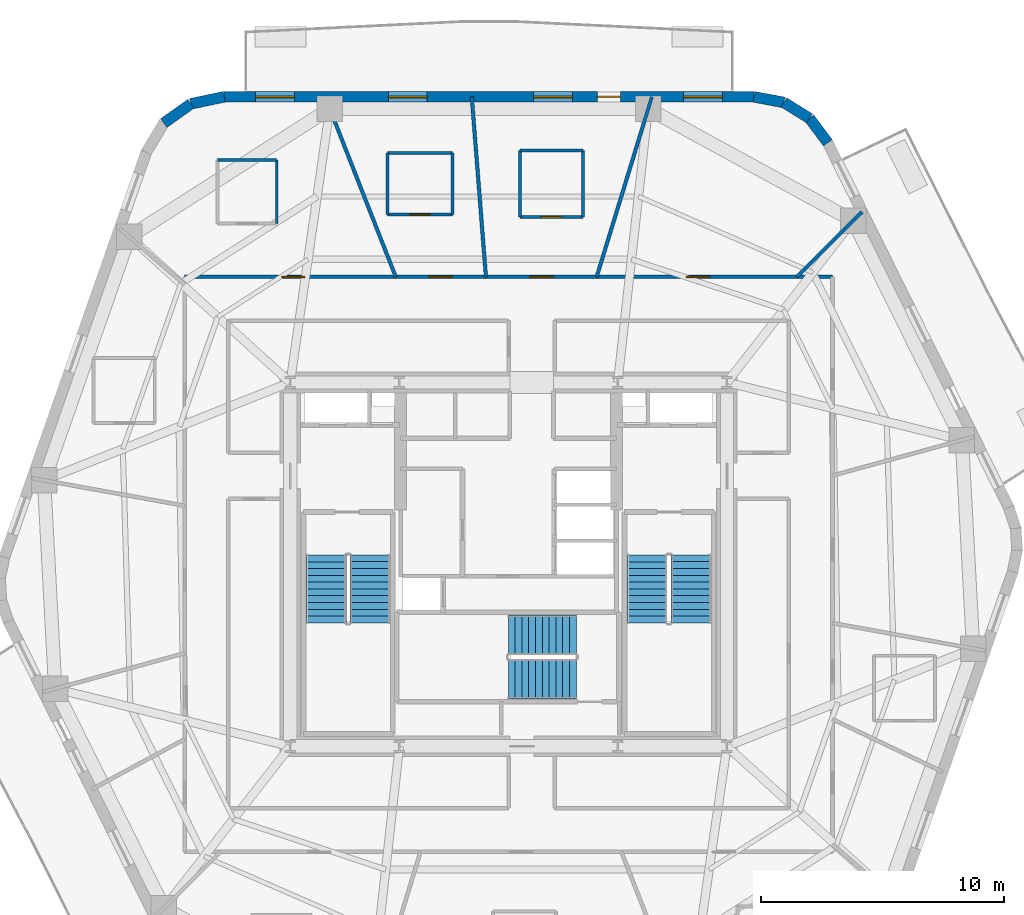
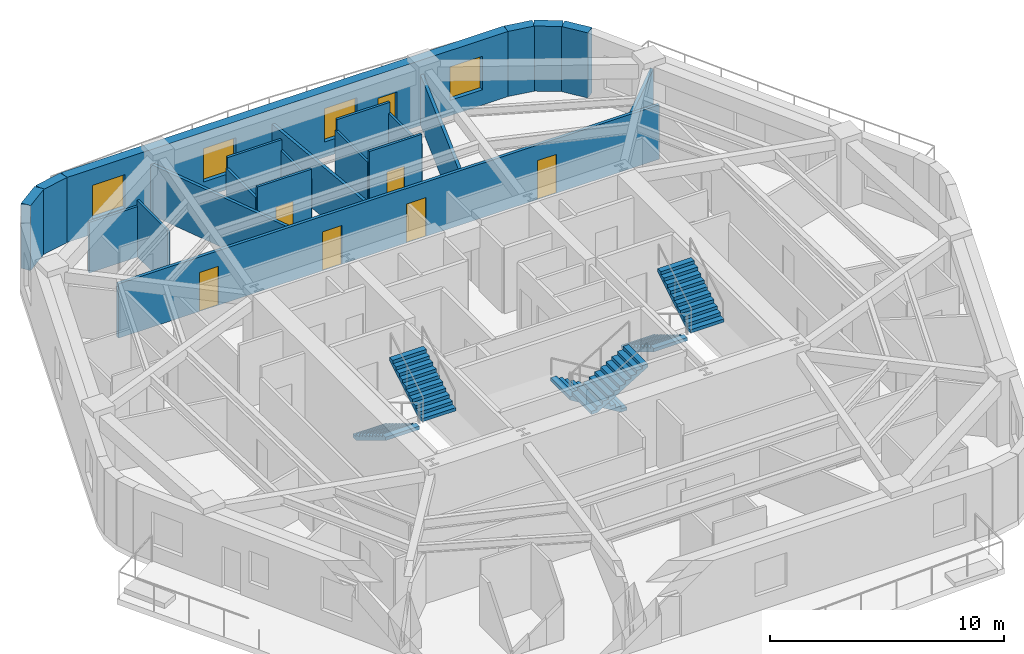
# One storey, part 6 of 10: 21 walls, 7 doors, 6 stair flights, 4 windows, 11 openings, 3 elements without a shape of their own.
"""IFC4 building model written with IfcOpenShell, lengths in metres."""

from ifc_helpers import new_model, si_unit, direction, frame, frame_2d, origin, place, context, subcontext, project, spatial, polyline, rectangle, outline, extrude, material, layer, layer_set, type_object, element, fill, aggregate, save


model = new_model("IFC4")

# Units and contexts
model_context = context("Model", 3, precision=1e-05, world=origin(), true_north=direction((0.0, 1.0)))
body_context = subcontext(model_context, "Body", "Model", "MODEL_VIEW")
ifc_project = project(units=[si_unit("LENGTHUNIT", "METRE"), si_unit("AREAUNIT", "SQUARE_METRE"), si_unit("VOLUMEUNIT", "CUBIC_METRE"), si_unit("PLANEANGLEUNIT", "RADIAN"), si_unit("MASSUNIT", "GRAM", prefix="KILO")], contexts=[model_context])

# Site, building, storey
site_placement = place(None, origin())
site = spatial("IfcSite", under=ifc_project, at=site_placement, CompositionType="ELEMENT")
building_placement = place(site_placement, origin())
building = spatial("IfcBuilding", under=site, at=building_placement, Name="Kilnhurst Terrace Hotel", CompositionType="ELEMENT")
storey_placement = place(building_placement, frame((0.0, 0.0, 155.39990234375)))
storey = spatial("IfcBuildingStorey", under=building, at=storey_placement, Name="L38", CompositionType="ELEMENT", Elevation=155.39990234375)

# Walls
ifc_material_1 = material(Name="Precast concrete C40/50", Category="concrete")
ifc_layer_1 = layer(ifc_material_1, 0.449951171875, Name="Precast concrete C40/50")
ifc_layer_set_1 = layer_set([ifc_layer_1], Name="Precast concrete C40/50")
wall_type_1 = type_object("IfcWallType", Name="WL-BRK-450", PredefinedType="SOLIDWALL", material=ifc_layer_set_1)
wall_1_placement = place(storey_placement, frame((13.162353515625, 17.380615234375, 0.0), z_axis=(0.0, 0.0, 1.0), x_axis=(-0.601515770517, 0.798860925205, 0.0)))
element("IfcWall", 1, at=wall_1_placement, inside=storey, type_object=wall_type_1, Name="L38 Rounded Corner Brick Wall C4.1", PredefinedType="SOLIDWALL", context=body_context, shape_type="SweptSolid", body=[
    extrude(rectangle(XDim=1.261962890625, YDim=0.449951171875, at=frame_2d((0.630859375, 0.0))), origin(), (0.0, 0.0, 1.0), 3.400146484375),
])
wall_2_placement = place(storey_placement, frame((12.4033203125, 18.388671875, 0.0), z_axis=(0.0, 0.0, 1.0), x_axis=(-0.849795170926, 0.527113049991, 0.0)))
element("IfcWall", 2, at=wall_2_placement, inside=storey, type_object=wall_type_1, Name="L38 Rounded Corner Brick Wall C4.2", PredefinedType="SOLIDWALL", context=body_context, shape_type="SweptSolid", body=[
    extrude(rectangle(XDim=1.24072265625, YDim=0.449951171875, at=frame_2d((0.620361328125, 0.0))), origin(), (0.0, 0.0, 1.0), 3.400146484375),
])
wall_3_placement = place(storey_placement, frame((11.348876953125, 19.042724609375, 0.0), z_axis=(0.0, 0.0, 1.0), x_axis=(-0.982931267051, 0.183973161772, 0.0)))
element("IfcWall", 3, at=wall_3_placement, inside=storey, type_object=wall_type_1, Name="L38 Rounded Corner Brick Wall C4.3", PredefinedType="SOLIDWALL", context=body_context, shape_type="SweptSolid", body=[
    extrude(rectangle(XDim=1.261962890625, YDim=0.449951171875, at=frame_2d((0.630859375, 0.0))), origin(), (0.0, 0.0, 1.0), 3.400146484375),
])
wall_4_placement = place(storey_placement, frame((-11.720458984375, 19.27490234375, 0.0), z_axis=(0.0, 0.0, 1.0), x_axis=(-0.97893106758, -0.204191001093, 0.0)))
element("IfcWall", 4, at=wall_4_placement, inside=storey, type_object=wall_type_1, Name="L38 Rounded Corner Brick Wall C5.1", PredefinedType="SOLIDWALL", context=body_context, shape_type="SweptSolid", body=[
    extrude(rectangle(XDim=1.400146484375, YDim=0.449951171875, at=frame_2d((0.7001953125, 0.0))), origin(), (0.0, 0.0, 1.0), 3.400146484375),
])
wall_5_placement = place(storey_placement, frame((-13.091064453125, 18.989013671875, 0.0), z_axis=(0.0, 0.0, 1.0), x_axis=(-0.815574637848, -0.578651890258, 0.0)))
element("IfcWall", 5, at=wall_5_placement, inside=storey, type_object=wall_type_1, Name="L38 Rounded Corner Brick Wall C5.2", PredefinedType="SOLIDWALL", context=body_context, shape_type="SweptSolid", body=[
    extrude(rectangle(XDim=1.376708984375, YDim=0.449951171875, at=frame_2d((0.6884765625, 0.0))), origin(), (0.0, 0.0, 1.0), 3.400146484375),
])

# Wall, openings, door, windows
wall_6_placement = place(storey_placement, frame((10.1083984375, 19.27490234375, 0.0), z_axis=(0.0, 0.0, 1.0), x_axis=(-1.0, 0.0, 0.0)))
wall_6 = element("IfcWall", 6, at=wall_6_placement, inside=storey, type_object=wall_type_1, Name="L38 Exterior Brick Facade Wall F4", PredefinedType="SOLIDWALL", context=body_context, shape_type="SweptSolid", body=[
    extrude(rectangle(XDim=21.828857421875, YDim=0.449951171875, at=frame_2d((10.91455078125, 0.0))), origin(), (0.0, 0.0, 1.0), 3.400146484375),
])
opening_1_placement = place(wall_6_placement, frame((5.5029296875, 0.0, 0.0)))
opening_1 = element("IfcOpeningElement", 7, at=opening_1_placement, cuts=wall_6, Name="Opening BD-950", PredefinedType="OPENING", context=body_context, shape_type="SweptSolid", body=[
    extrude(rectangle(XDim=0.949951171875, YDim=2.14990234375, at=frame_2d((0.47509765625, 1.074951171875))), frame((0.0, 0.23486328125, 0.0), z_axis=(0.0, -1.0, 0.0), x_axis=(1.0, 0.0, 0.0)), (0.0, 0.0, 1.0), 0.469970703125),
])
opening_2_placement = place(wall_6_placement, frame((1.297119140625, 0.0, 0.800048828125)))
opening_2 = element("IfcOpeningElement", 8, at=opening_2_placement, cuts=wall_6, Name="Opening W-05", PredefinedType="OPENING", context=body_context, shape_type="SweptSolid", body=[
    extrude(rectangle(XDim=1.60009765625, YDim=1.75, at=frame_2d((0.800048828125, 0.875))), frame((0.0, 0.23486328125, 0.0), z_axis=(0.0, -1.0, 0.0), x_axis=(1.0, 0.0, 0.0)), (0.0, 0.0, 1.0), 0.469970703125),
])
opening_3_placement = place(wall_6_placement, frame((7.47900390625, 0.0, 0.800048828125)))
opening_3 = element("IfcOpeningElement", 9, at=opening_3_placement, cuts=wall_6, Name="Opening W-05", PredefinedType="OPENING", context=body_context, shape_type="SweptSolid", body=[
    extrude(rectangle(XDim=1.60009765625, YDim=1.75, at=frame_2d((0.800048828125, 0.875))), frame((0.0, 0.23486328125, 0.0), z_axis=(0.0, -1.0, 0.0), x_axis=(1.0, 0.0, 0.0)), (0.0, 0.0, 1.0), 0.469970703125),
])
opening_4_placement = place(wall_6_placement, frame((13.4609375, 0.0, 0.800048828125)))
opening_4 = element("IfcOpeningElement", 10, at=opening_4_placement, cuts=wall_6, Name="Opening W-05", PredefinedType="OPENING", context=body_context, shape_type="SweptSolid", body=[
    extrude(rectangle(XDim=1.60009765625, YDim=1.75, at=frame_2d((0.800048828125, 0.875))), frame((0.0, 0.23486328125, 0.0), z_axis=(0.0, -1.0, 0.0), x_axis=(1.0, 0.0, 0.0)), (0.0, 0.0, 1.0), 0.469970703125),
])
opening_5_placement = place(wall_6_placement, frame((18.93310546875, 0.0, 0.800048828125)))
opening_5 = element("IfcOpeningElement", 11, at=opening_5_placement, cuts=wall_6, Name="Opening W-05", PredefinedType="OPENING", context=body_context, shape_type="SweptSolid", body=[
    extrude(rectangle(XDim=1.60009765625, YDim=1.75, at=frame_2d((0.800048828125, 0.875))), frame((0.0, 0.23486328125, 0.0), z_axis=(0.0, -1.0, 0.0), x_axis=(1.0, 0.0, 0.0)), (0.0, 0.0, 1.0), 0.469970703125),
])
ifc_material_2 = material(Name="Thermally Broken Bronze Aluminium Alloy 6063-T6 and Laminated Glass", Category="aluminium")
door_type_1 = type_object("IfcDoorType", Name="DR-EXT-BAL-950", OperationType="NOTDEFINED", PredefinedType="DOOR", material=ifc_material_2)
door_1_placement = place(opening_1_placement, origin())
door_1 = element("IfcDoor", 12, at=door_1_placement, inside=storey, type_object=door_type_1, Name="L38 Planted Balcony Door BAL-L1B", OperationType="SINGLE_SWING_RIGHT", OverallHeight=2.14990234375, OverallWidth=0.949951171875, PredefinedType="DOOR", context=body_context, shape_type="SweptSolid", body=[
    extrude(rectangle(XDim=0.949951171875, YDim=2.14990234375, at=frame_2d((0.47509765625, 1.074951171875))), frame((0.0, 0.02490234375, 0.0), z_axis=(0.0, -1.0, 0.0), x_axis=(1.0, 0.0, 0.0)), (0.0, 0.0, 1.0), 0.050048828125),
])
fill(opening_1, door_1)
ifc_material_3 = material(Name="Thermally Broken Bronze Aluminium Alloy 6063-T6 and Low-E Glass", Category="aluminium")
window_type = type_object("IfcWindowType", Name="WIN-1600X1750", PartitioningType="SINGLE_PANEL", PredefinedType="WINDOW", material=ifc_material_3)
window_1_placement = place(opening_2_placement, origin())
window_1 = element("IfcWindow", 13, at=window_1_placement, inside=storey, type_object=window_type, Name="L38 Deep-Set Masonry Window F4.1", OverallHeight=1.75, OverallWidth=1.60009765625, PartitioningType="SINGLE_PANEL", PredefinedType="WINDOW", context=body_context, shape_type="SweptSolid", body=[
    extrude(rectangle(XDim=1.60009765625, YDim=1.75, at=frame_2d((0.800048828125, 0.875))), frame((0.0, 0.030029296875, 0.0), z_axis=(0.0, -1.0, 0.0), x_axis=(1.0, 0.0, 0.0)), (0.0, 0.0, 1.0), 0.06005859375),
])
fill(opening_2, window_1)
window_2_placement = place(opening_3_placement, origin())
window_2 = element("IfcWindow", 14, at=window_2_placement, inside=storey, type_object=window_type, Name="L38 Deep-Set Masonry Window F4.2", OverallHeight=1.75, OverallWidth=1.60009765625, PartitioningType="SINGLE_PANEL", PredefinedType="WINDOW", context=body_context, shape_type="SweptSolid", body=[
    extrude(rectangle(XDim=1.60009765625, YDim=1.75, at=frame_2d((0.800048828125, 0.875))), frame((0.0, 0.030029296875, 0.0), z_axis=(0.0, -1.0, 0.0), x_axis=(1.0, 0.0, 0.0)), (0.0, 0.0, 1.0), 0.06005859375),
])
fill(opening_3, window_2)
window_3_placement = place(opening_4_placement, origin())
window_3 = element("IfcWindow", 15, at=window_3_placement, inside=storey, type_object=window_type, Name="L38 Deep-Set Masonry Window F4.3", OverallHeight=1.75, OverallWidth=1.60009765625, PartitioningType="SINGLE_PANEL", PredefinedType="WINDOW", context=body_context, shape_type="SweptSolid", body=[
    extrude(rectangle(XDim=1.60009765625, YDim=1.75, at=frame_2d((0.800048828125, 0.875))), frame((0.0, 0.030029296875, 0.0), z_axis=(0.0, -1.0, 0.0), x_axis=(1.0, 0.0, 0.0)), (0.0, 0.0, 1.0), 0.06005859375),
])
fill(opening_4, window_3)
window_4_placement = place(opening_5_placement, origin())
window_4 = element("IfcWindow", 16, at=window_4_placement, inside=storey, type_object=window_type, Name="L38 Deep-Set Masonry Window F4.4", OverallHeight=1.75, OverallWidth=1.60009765625, PartitioningType="SINGLE_PANEL", PredefinedType="WINDOW", context=body_context, shape_type="SweptSolid", body=[
    extrude(rectangle(XDim=1.60009765625, YDim=1.75, at=frame_2d((0.800048828125, 0.875))), frame((0.0, 0.030029296875, 0.0), z_axis=(0.0, -1.0, 0.0), x_axis=(1.0, 0.0, 0.0)), (0.0, 0.0, 1.0), 0.06005859375),
])
fill(opening_5, window_4)

# Wall, openings, doors
ifc_material_4 = material(Name="Acoustic Double-Gypsum Corridor Partition Assembly")
ifc_layer_2 = layer(ifc_material_4, 0.14990234375, Name="Acoustic Double-Gypsum Corridor Partition Assembly")
ifc_layer_set_2 = layer_set([ifc_layer_2], Name="Acoustic Double-Gypsum Corridor Partition Assembly")
wall_type_2 = type_object("IfcWallType", Name="WL-COR-150", PredefinedType="PARTITIONING", material=ifc_layer_set_2)
wall_7_placement = place(storey_placement, frame((-13.35009765625, 11.85009765625, 0.0), z_axis=(0.0, 0.0, 1.0), x_axis=(1.0, 0.0, 0.0)))
wall_7 = element("IfcWall", 17, at=wall_7_placement, inside=storey, type_object=wall_type_2, Name="L38 Interior Wall WL-L38-COR-03", PredefinedType="PARTITIONING", context=body_context, shape_type="SweptSolid", body=[
    extrude(rectangle(XDim=26.7001953125, YDim=0.14990234375, at=frame_2d((13.35009765625, 0.0))), origin(), (0.0, 0.0, 1.0), 2.840087890625),
])
opening_6_placement = place(wall_7_placement, frame((20.681884765625, 0.0, 0.0)))
opening_6 = element("IfcOpeningElement", 18, at=opening_6_placement, cuts=wall_7, Name="Opening D-60B", PredefinedType="OPENING", context=body_context, shape_type="SweptSolid", body=[
    extrude(rectangle(XDim=0.949951171875, YDim=2.030029296875, at=frame_2d((0.47509765625, 1.01513671875))), frame((0.0, 0.0849609375, 0.0), z_axis=(0.0, -1.0, 0.0), x_axis=(1.0, 0.0, 0.0)), (0.0, 0.0, 1.0), 0.169921875),
])
opening_7_placement = place(wall_7_placement, frame((14.22900390625, 0.0, 0.0)))
opening_7 = element("IfcOpeningElement", 19, at=opening_7_placement, cuts=wall_7, Name="Opening D-60B", PredefinedType="OPENING", context=body_context, shape_type="SweptSolid", body=[
    extrude(rectangle(XDim=0.949951171875, YDim=2.030029296875, at=frame_2d((0.47509765625, 1.01513671875))), frame((0.0, 0.0849609375, 0.0), z_axis=(0.0, -1.0, 0.0), x_axis=(1.0, 0.0, 0.0)), (0.0, 0.0, 1.0), 0.169921875),
])
opening_8_placement = place(wall_7_placement, frame((10.074951171875, 0.0, 0.0)))
opening_8 = element("IfcOpeningElement", 20, at=opening_8_placement, cuts=wall_7, Name="Opening D-60B", PredefinedType="OPENING", context=body_context, shape_type="SweptSolid", body=[
    extrude(rectangle(XDim=0.949951171875, YDim=2.030029296875, at=frame_2d((0.47509765625, 1.01513671875))), frame((0.0, 0.0849609375, 0.0), z_axis=(0.0, -1.0, 0.0), x_axis=(1.0, 0.0, 0.0)), (0.0, 0.0, 1.0), 0.169921875),
])
opening_9_placement = place(wall_7_placement, frame((3.9951171875, 0.0, 0.0)))
opening_9 = element("IfcOpeningElement", 21, at=opening_9_placement, cuts=wall_7, Name="Opening D-60B", PredefinedType="OPENING", context=body_context, shape_type="SweptSolid", body=[
    extrude(rectangle(XDim=0.949951171875, YDim=2.030029296875, at=frame_2d((0.47509765625, 1.01513671875))), frame((0.0, 0.0849609375, 0.0), z_axis=(0.0, -1.0, 0.0), x_axis=(1.0, 0.0, 0.0)), (0.0, 0.0, 1.0), 0.169921875),
])
ifc_material_5 = material(Name="Acoustic Walnut Veneer Solid-Core Fire Door")
door_type_2 = type_object("IfcDoorType", Name="DR-FD60-950", OperationType="NOTDEFINED", PredefinedType="DOOR", material=ifc_material_5)
door_2_placement = place(opening_6_placement, origin())
door_2 = element("IfcDoor", 22, at=door_2_placement, inside=storey, type_object=door_type_2, Name="L38 Fitness Studio Door", OperationType="SINGLE_SWING_RIGHT", OverallHeight=2.030029296875, OverallWidth=0.949951171875, PredefinedType="DOOR", context=body_context, shape_type="SweptSolid", body=[
    extrude(rectangle(XDim=0.949951171875, YDim=2.030029296875, at=frame_2d((0.47509765625, 1.01513671875))), frame((0.0, 0.02490234375, 0.0), z_axis=(0.0, -1.0, 0.0), x_axis=(1.0, 0.0, 0.0)), (0.0, 0.0, 1.0), 0.050048828125),
])
fill(opening_6, door_2)
door_3_placement = place(opening_7_placement, origin())
door_3 = element("IfcDoor", 23, at=door_3_placement, inside=storey, type_object=door_type_2, Name="L38 Guest Room Entry Door 3", OperationType="SINGLE_SWING_LEFT", OverallHeight=2.030029296875, OverallWidth=0.949951171875, PredefinedType="DOOR", context=body_context, shape_type="SweptSolid", body=[
    extrude(rectangle(XDim=0.949951171875, YDim=2.030029296875, at=frame_2d((0.47509765625, 1.01513671875))), frame((0.0, 0.02490234375, 0.0), z_axis=(0.0, -1.0, 0.0), x_axis=(1.0, 0.0, 0.0)), (0.0, 0.0, 1.0), 0.050048828125),
])
fill(opening_7, door_3)
door_4_placement = place(opening_8_placement, origin())
door_4 = element("IfcDoor", 24, at=door_4_placement, inside=storey, type_object=door_type_2, Name="L38 Guest Room Entry Door 4", OperationType="SINGLE_SWING_RIGHT", OverallHeight=2.030029296875, OverallWidth=0.949951171875, PredefinedType="DOOR", context=body_context, shape_type="SweptSolid", body=[
    extrude(rectangle(XDim=0.949951171875, YDim=2.030029296875, at=frame_2d((0.47509765625, 1.01513671875))), frame((0.0, 0.02490234375, 0.0), z_axis=(0.0, -1.0, 0.0), x_axis=(1.0, 0.0, 0.0)), (0.0, 0.0, 1.0), 0.050048828125),
])
fill(opening_8, door_4)
door_5_placement = place(opening_9_placement, origin())
door_5 = element("IfcDoor", 25, at=door_5_placement, inside=storey, type_object=door_type_2, Name="L38 Executive Suite Entry Door 5", OperationType="SINGLE_SWING_LEFT", OverallHeight=2.030029296875, OverallWidth=0.949951171875, PredefinedType="DOOR", context=body_context, shape_type="SweptSolid", body=[
    extrude(rectangle(XDim=0.949951171875, YDim=2.030029296875, at=frame_2d((0.47509765625, 1.01513671875))), frame((0.0, 0.02490234375, 0.0), z_axis=(0.0, -1.0, 0.0), x_axis=(1.0, 0.0, 0.0)), (0.0, 0.0, 1.0), 0.050048828125),
])
fill(opening_9, door_5)

# Walls
ifc_material_6 = material(Name="STC-58 Acoustic Twin-Frame Guestroom Demising Partition")
ifc_layer_3 = layer(ifc_material_6, 0.14990234375, Name="STC-58 Acoustic Twin-Frame Guestroom Demising Partition")
ifc_layer_set_3 = layer_set([ifc_layer_3], Name="STC-58 Acoustic Twin-Frame Guestroom Demising Partition")
wall_type_3 = type_object("IfcWallType", Name="WL-DEM-150", PredefinedType="PARTITIONING", material=ifc_layer_set_3)
wall_8_placement = place(storey_placement, frame((11.8818359375, 11.85009765625, 0.0), z_axis=(0.0, 0.0, 1.0), x_axis=(0.708037373639, 0.706174962407, 0.0)))
element("IfcWall", 26, at=wall_8_placement, inside=storey, type_object=wall_type_3, Name="L38 Interior Wall WL-L38-DEM-COL02-02-1", PredefinedType="PARTITIONING", context=body_context, shape_type="SweptSolid", body=[
    extrude(rectangle(XDim=3.801513671875, YDim=0.14990234375, at=frame_2d((1.90087890625, 0.0))), origin(), (0.0, 0.0, 1.0), 2.64013671875),
])
wall_9_placement = place(storey_placement, frame((3.63134765625, 11.85009765625, 0.0), z_axis=(0.0, 0.0, 1.0), x_axis=(0.293007573338, 0.956110120209, 0.0)))
element("IfcWall", 27, at=wall_9_placement, inside=storey, type_object=wall_type_3, Name="L38 Interior Wall WL-L38-DEM-COL03-03-1", PredefinedType="PARTITIONING", context=body_context, shape_type="SweptSolid", body=[
    extrude(rectangle(XDim=7.765625, YDim=0.14990234375, at=frame_2d((3.8828125, 0.0))), origin(), (0.0, 0.0, 1.0), 2.64013671875),
])
wall_10_placement = place(storey_placement, frame((-0.932861328125, 11.85009765625, 0.0), z_axis=(0.0, 0.0, 1.0), x_axis=(-0.078476156849, 0.996915990847, 0.0)))
element("IfcWall", 28, at=wall_10_placement, inside=storey, type_object=wall_type_3, Name="L38 Interior Wall WL-L38-DEM-MID03-04-1", PredefinedType="PARTITIONING", context=body_context, shape_type="SweptSolid", body=[
    extrude(rectangle(XDim=7.44775390625, YDim=0.14990234375, at=frame_2d((3.723876953125, 0.0))), origin(), (0.0, 0.0, 1.0), 2.64013671875),
])
wall_11_placement = place(storey_placement, frame((-4.64990234375, 11.85009765625, 0.0), z_axis=(0.0, 0.0, 1.0), x_axis=(-0.365265947993, 0.930903210456, 0.0)))
element("IfcWall", 29, at=wall_11_placement, inside=storey, type_object=wall_type_3, Name="L38 Interior Wall WL-L38-DEM-COL04-05-1", PredefinedType="PARTITIONING", context=body_context, shape_type="SweptSolid", body=[
    extrude(rectangle(XDim=7.975830078125, YDim=0.14990234375, at=frame_2d((3.98779296875, 0.0))), origin(), (0.0, 0.0, 1.0), 2.64013671875),
])

# Wall, opening, door
ifc_material_7 = material(Name="120 mm Moisture-Resistant Tile-Backed Bathroom Partition")
ifc_layer_4 = layer(ifc_material_7, 0.1201171875, Name="120 mm Moisture-Resistant Tile-Backed Bathroom Partition")
ifc_layer_set_4 = layer_set([ifc_layer_4], Name="120 mm Moisture-Resistant Tile-Backed Bathroom Partition")
wall_type_4 = type_object("IfcWallType", Name="WL-PART-120", PredefinedType="PARTITIONING", material=ifc_layer_set_4)
wall_12_placement = place(storey_placement, frame((0.464111328125, 14.31298828125, 0.0), z_axis=(0.0, 0.0, 1.0), x_axis=(1.0, 0.0, 0.0)))
wall_12 = element("IfcWall", 30, at=wall_12_placement, inside=storey, type_object=wall_type_4, Name="L38 Interior Wall WL-L38-BTH-03-1", PredefinedType="PARTITIONING", context=body_context, shape_type="SweptSolid", body=[
    extrude(rectangle(XDim=2.599853515625, YDim=0.1201171875, at=frame_2d((1.2998046875, 0.0))), origin(), (0.0, 0.0, 1.0), 3.400146484375),
])
opening_10_placement = place(wall_12_placement, frame((0.875, 0.0, 0.0)))
opening_10 = element("IfcOpeningElement", 31, at=opening_10_placement, cuts=wall_12, Name="Opening D-08A", PredefinedType="OPENING", context=body_context, shape_type="SweptSolid", body=[
    extrude(rectangle(XDim=0.85009765625, YDim=2.030029296875, at=frame_2d((0.425048828125, 1.01513671875))), frame((0.0, 0.070068359375, 0.0), z_axis=(0.0, -1.0, 0.0), x_axis=(1.0, 0.0, 0.0)), (0.0, 0.0, 1.0), 0.14013671875),
])
ifc_material_8 = material(Name="Moisture-Resistant Lacquered En-suite Bathroom Door")
door_type_3 = type_object("IfcDoorType", Name="DR-INT-850", OperationType="NOTDEFINED", PredefinedType="DOOR", material=ifc_material_8)
door_6_placement = place(opening_10_placement, origin())
door_6 = element("IfcDoor", 32, at=door_6_placement, inside=storey, type_object=door_type_3, Name="L38 En-suite Bathroom Door 3", OperationType="SINGLE_SWING_RIGHT", OverallHeight=2.030029296875, OverallWidth=0.85009765625, PredefinedType="DOOR", context=body_context, shape_type="SweptSolid", body=[
    extrude(rectangle(XDim=0.85009765625, YDim=2.030029296875, at=frame_2d((0.425048828125, 1.01513671875))), frame((0.0, 0.02490234375, 0.0), z_axis=(0.0, -1.0, 0.0), x_axis=(1.0, 0.0, 0.0)), (0.0, 0.0, 1.0), 0.050048828125),
])
fill(opening_10, door_6)

# Walls
wall_13_placement = place(storey_placement, frame((3.06396484375, 14.31298828125, 0.0), z_axis=(0.0, 0.0, 1.0), x_axis=(0.0, 1.0, 0.0)))
element("IfcWall", 33, at=wall_13_placement, inside=storey, type_object=wall_type_4, Name="L38 Interior Wall WL-L38-BTH-03-2", PredefinedType="PARTITIONING", context=body_context, shape_type="SweptSolid", body=[
    extrude(rectangle(XDim=2.75, YDim=0.1201171875, at=frame_2d((1.375, 0.0))), origin(), (0.0, 0.0, 1.0), 2.840576171875),
])
wall_14_placement = place(storey_placement, frame((3.06396484375, 17.06298828125, 0.0), z_axis=(0.0, 0.0, 1.0), x_axis=(-1.0, 0.0, 0.0)))
element("IfcWall", 34, at=wall_14_placement, inside=storey, type_object=wall_type_4, Name="L38 Interior Wall WL-L38-BTH-03-3", PredefinedType="PARTITIONING", context=body_context, shape_type="SweptSolid", body=[
    extrude(rectangle(XDim=2.599853515625, YDim=0.1201171875, at=frame_2d((1.2998046875, 0.0))), origin(), (0.0, 0.0, 1.0), 3.400146484375),
])
wall_15_placement = place(storey_placement, frame((0.464111328125, 17.06298828125, 0.0), z_axis=(0.0, 0.0, 1.0), x_axis=(0.0, -1.0, 0.0)))
element("IfcWall", 35, at=wall_15_placement, inside=storey, type_object=wall_type_4, Name="L38 Interior Wall WL-L38-BTH-03-4", PredefinedType="PARTITIONING", context=body_context, shape_type="SweptSolid", body=[
    extrude(rectangle(XDim=2.75, YDim=0.1201171875, at=frame_2d((1.375, 0.0))), origin(), (0.0, 0.0, 1.0), 2.840576171875),
])

# Wall, opening, door
wall_16_placement = place(storey_placement, frame((-4.998046875, 14.41796875, 0.0), z_axis=(0.0, 0.0, 1.0), x_axis=(1.0, 0.0, 0.0)))
wall_16 = element("IfcWall", 36, at=wall_16_placement, inside=storey, type_object=wall_type_4, Name="L38 Interior Wall WL-L38-BTH-04-1", PredefinedType="PARTITIONING", context=body_context, shape_type="SweptSolid", body=[
    extrude(rectangle(XDim=2.679931640625, YDim=0.1201171875, at=frame_2d((1.33984375, 0.0))), origin(), (0.0, 0.0, 1.0), 3.400146484375),
])
opening_11_placement = place(wall_16_placement, frame((0.9150390625, 0.0, 0.0)))
opening_11 = element("IfcOpeningElement", 37, at=opening_11_placement, cuts=wall_16, Name="Opening D-08A", PredefinedType="OPENING", context=body_context, shape_type="SweptSolid", body=[
    extrude(rectangle(XDim=0.85009765625, YDim=2.030029296875, at=frame_2d((0.425048828125, 1.01513671875))), frame((0.0, 0.070068359375, 0.0), z_axis=(0.0, -1.0, 0.0), x_axis=(1.0, 0.0, 0.0)), (0.0, 0.0, 1.0), 0.14013671875),
])
door_7_placement = place(opening_11_placement, origin())
door_7 = element("IfcDoor", 38, at=door_7_placement, inside=storey, type_object=door_type_3, Name="L38 En-suite Bathroom Door 4", OperationType="SINGLE_SWING_LEFT", OverallHeight=2.030029296875, OverallWidth=0.85009765625, PredefinedType="DOOR", context=body_context, shape_type="SweptSolid", body=[
    extrude(rectangle(XDim=0.85009765625, YDim=2.030029296875, at=frame_2d((0.425048828125, 1.01513671875))), frame((0.0, 0.02490234375, 0.0), z_axis=(0.0, -1.0, 0.0), x_axis=(1.0, 0.0, 0.0)), (0.0, 0.0, 1.0), 0.050048828125),
])
fill(opening_11, door_7)

# Walls
wall_17_placement = place(storey_placement, frame((-2.318115234375, 14.41796875, 0.0), z_axis=(0.0, 0.0, 1.0), x_axis=(0.0, 1.0, 0.0)))
element("IfcWall", 39, at=wall_17_placement, inside=storey, type_object=wall_type_4, Name="L38 Interior Wall WL-L38-BTH-04-2", PredefinedType="PARTITIONING", context=body_context, shape_type="SweptSolid", body=[
    extrude(rectangle(XDim=2.5400390625, YDim=0.1201171875, at=frame_2d((1.27001953125, 0.0))), origin(), (0.0, 0.0, 1.0), 2.840576171875),
])
wall_18_placement = place(storey_placement, frame((-2.318115234375, 16.9580078125, 0.0), z_axis=(0.0, 0.0, 1.0), x_axis=(-1.0, 0.0, 0.0)))
element("IfcWall", 40, at=wall_18_placement, inside=storey, type_object=wall_type_4, Name="L38 Interior Wall WL-L38-BTH-04-3", PredefinedType="PARTITIONING", context=body_context, shape_type="SweptSolid", body=[
    extrude(rectangle(XDim=2.679931640625, YDim=0.1201171875, at=frame_2d((1.33984375, 0.0))), origin(), (0.0, 0.0, 1.0), 3.400146484375),
])
wall_19_placement = place(storey_placement, frame((-4.998046875, 16.9580078125, 0.0), z_axis=(0.0, 0.0, 1.0), x_axis=(0.0, -1.0, 0.0)))
element("IfcWall", 41, at=wall_19_placement, inside=storey, type_object=wall_type_4, Name="L38 Interior Wall WL-L38-BTH-04-4", PredefinedType="PARTITIONING", context=body_context, shape_type="SweptSolid", body=[
    extrude(rectangle(XDim=2.5400390625, YDim=0.1201171875, at=frame_2d((1.27001953125, 0.0))), origin(), (0.0, 0.0, 1.0), 2.840576171875),
])
wall_20_placement = place(storey_placement, frame((-9.555908203125, 14.056884765625, 0.0), z_axis=(0.0, 0.0, 1.0), x_axis=(0.0, 1.0, 0.0)))
element("IfcWall", 42, at=wall_20_placement, inside=storey, type_object=wall_type_4, Name="L38 Interior Wall WL-L38-BTH-05-2", PredefinedType="PARTITIONING", context=body_context, shape_type="SweptSolid", body=[
    extrude(rectangle(XDim=2.610107421875, YDim=0.1201171875, at=frame_2d((1.30517578125, 0.0))), origin(), (0.0, 0.0, 1.0), 2.926513671875),
])
wall_21_placement = place(storey_placement, frame((-9.555908203125, 16.6669921875, 0.0), z_axis=(0.0, 0.0, 1.0), x_axis=(-1.0, 0.0, 0.0)))
element("IfcWall", 43, at=wall_21_placement, inside=storey, type_object=wall_type_4, Name="L38 Interior Wall WL-L38-BTH-05-3", PredefinedType="PARTITIONING", context=body_context, shape_type="SweptSolid", body=[
    extrude(rectangle(XDim=2.440185546875, YDim=0.1201171875, at=frame_2d((1.22021484375, 0.0))), origin(), (0.0, 0.0, 1.0), 2.64013671875),
])

# Stair, stair flights
ifc_material_9 = material(Name="Concrete C50/60", Category="concrete")
stair_type = type_object("IfcStairType", Name="STR-CORE-1660", PredefinedType="HALF_TURN_STAIR", material=ifc_material_9)
stair_1_placement = place(storey_placement, origin())
stair_1 = element("IfcStair", 44, at=stair_1_placement, inside=storey, type_object=stair_type, Name="L38 ST-1", PredefinedType="HALF_TURN_STAIR")
stair_flight_type = type_object("IfcStairFlightType", Name="FLT-RC-1660", PredefinedType="STRAIGHT", material=ifc_material_9)
stair_flight_1_placement = place(storey_placement, frame((-7.52001953125, 0.389892578125, 0.0), z_axis=(0.0, 0.0, 1.0), x_axis=(0.0, -1.0, 0.0)))
stair_flight_1 = element("IfcStairFlight", 45, at=stair_flight_1_placement, type_object=stair_flight_type, Name="ST-1 flight 1", NumberOfRisers=11, NumberOfTreads=10, PredefinedType="STRAIGHT", RiserHeight=0.168181818, TreadLength=0.28, context=body_context, shape_type="SweptSolid", body=[
    extrude(outline(polyline([(0.0, 0.0), (0.0, 0.168212890625), (0.280029296875, 0.168212890625), (0.280029296875, 0.33642578125), (0.56005859375, 0.33642578125), (0.56005859375, 0.504638671875), (0.840087890625, 0.504638671875), (0.840087890625, 0.672607421875), (1.1201171875, 0.672607421875), (1.1201171875, 0.8408203125), (1.39990234375, 0.8408203125), (1.39990234375, 1.009033203125), (1.679931640625, 1.009033203125), (1.679931640625, 1.17724609375), (1.9599609375, 1.17724609375), (1.9599609375, 1.345458984375), (2.239990234375, 1.345458984375), (2.239990234375, 1.513671875), (2.52001953125, 1.513671875), (2.52001953125, 1.681884765625), (2.800048828125, 1.681884765625), (2.800048828125, 1.85009765625), (2.800048828125, 1.5068359375), (0.291015625, 0.0), (0.0, 0.0)])), frame((0.0, 0.830078125, 0.0), z_axis=(0.0, -1.0, 0.0), x_axis=(1.0, 0.0, 0.0)), (0.0, 0.0, 1.0), 1.659912109375),
])
stair_flight_2_placement = place(storey_placement, frame((-5.7099609375, -2.409912109375, 1.85009765625), z_axis=(0.0, 0.0, 1.0), x_axis=(0.0, 1.0, 0.0)))
stair_flight_2 = element("IfcStairFlight", 46, at=stair_flight_2_placement, type_object=stair_flight_type, Name="ST-1 flight 2", NumberOfRisers=11, NumberOfTreads=10, PredefinedType="STRAIGHT", RiserHeight=0.168181818, TreadLength=0.28, context=body_context, shape_type="SweptSolid", body=[
    extrude(outline(polyline([(0.0, 0.0), (0.0, 0.168212890625), (0.280029296875, 0.168212890625), (0.280029296875, 0.33642578125), (0.56005859375, 0.33642578125), (0.56005859375, 0.504638671875), (0.840087890625, 0.504638671875), (0.840087890625, 0.672607421875), (1.1201171875, 0.672607421875), (1.1201171875, 0.8408203125), (1.39990234375, 0.8408203125), (1.39990234375, 1.009033203125), (1.679931640625, 1.009033203125), (1.679931640625, 1.17724609375), (1.9599609375, 1.17724609375), (1.9599609375, 1.345458984375), (2.239990234375, 1.345458984375), (2.239990234375, 1.513671875), (2.52001953125, 1.513671875), (2.52001953125, 1.681884765625), (2.800048828125, 1.681884765625), (2.800048828125, 1.85009765625), (2.800048828125, 1.5068359375), (0.291015625, 0.0), (0.0, 0.0)])), frame((0.0, 0.830078125, 0.0), z_axis=(0.0, -1.0, 0.0), x_axis=(1.0, 0.0, 0.0)), (0.0, 0.0, 1.0), 1.659912109375),
])
aggregate(stair_1, [stair_flight_1, stair_flight_2])

stair_2_placement = place(storey_placement, origin())
stair_2 = element("IfcStair", 47, at=stair_2_placement, inside=storey, type_object=stair_type, Name="L38 ST-2", PredefinedType="HALF_TURN_STAIR")
stair_flight_3_placement = place(storey_placement, frame((5.7099609375, 0.389892578125, 0.0), z_axis=(0.0, 0.0, 1.0), x_axis=(0.0, -1.0, 0.0)))
stair_flight_3 = element("IfcStairFlight", 48, at=stair_flight_3_placement, type_object=stair_flight_type, Name="ST-2 flight 1", NumberOfRisers=11, NumberOfTreads=10, PredefinedType="STRAIGHT", RiserHeight=0.168181818, TreadLength=0.28, context=body_context, shape_type="SweptSolid", body=[
    extrude(outline(polyline([(0.0, 0.0), (0.0, 0.168212890625), (0.280029296875, 0.168212890625), (0.280029296875, 0.33642578125), (0.56005859375, 0.33642578125), (0.56005859375, 0.504638671875), (0.840087890625, 0.504638671875), (0.840087890625, 0.672607421875), (1.1201171875, 0.672607421875), (1.1201171875, 0.8408203125), (1.39990234375, 0.8408203125), (1.39990234375, 1.009033203125), (1.679931640625, 1.009033203125), (1.679931640625, 1.17724609375), (1.9599609375, 1.17724609375), (1.9599609375, 1.345458984375), (2.239990234375, 1.345458984375), (2.239990234375, 1.513671875), (2.52001953125, 1.513671875), (2.52001953125, 1.681884765625), (2.800048828125, 1.681884765625), (2.800048828125, 1.85009765625), (2.800048828125, 1.5068359375), (0.291015625, 0.0), (0.0, 0.0)])), frame((0.0, 0.830078125, 0.0), z_axis=(0.0, -1.0, 0.0), x_axis=(1.0, 0.0, 0.0)), (0.0, 0.0, 1.0), 1.659912109375),
])
stair_flight_4_placement = place(storey_placement, frame((7.52001953125, -2.409912109375, 1.85009765625), z_axis=(0.0, 0.0, 1.0), x_axis=(0.0, 1.0, 0.0)))
stair_flight_4 = element("IfcStairFlight", 49, at=stair_flight_4_placement, type_object=stair_flight_type, Name="ST-2 flight 2", NumberOfRisers=11, NumberOfTreads=10, PredefinedType="STRAIGHT", RiserHeight=0.168181818, TreadLength=0.28, context=body_context, shape_type="SweptSolid", body=[
    extrude(outline(polyline([(0.0, 0.0), (0.0, 0.168212890625), (0.280029296875, 0.168212890625), (0.280029296875, 0.33642578125), (0.56005859375, 0.33642578125), (0.56005859375, 0.504638671875), (0.840087890625, 0.504638671875), (0.840087890625, 0.672607421875), (1.1201171875, 0.672607421875), (1.1201171875, 0.8408203125), (1.39990234375, 0.8408203125), (1.39990234375, 1.009033203125), (1.679931640625, 1.009033203125), (1.679931640625, 1.17724609375), (1.9599609375, 1.17724609375), (1.9599609375, 1.345458984375), (2.239990234375, 1.345458984375), (2.239990234375, 1.513671875), (2.52001953125, 1.513671875), (2.52001953125, 1.681884765625), (2.800048828125, 1.681884765625), (2.800048828125, 1.85009765625), (2.800048828125, 1.5068359375), (0.291015625, 0.0), (0.0, 0.0)])), frame((0.0, 0.830078125, 0.0), z_axis=(0.0, -1.0, 0.0), x_axis=(1.0, 0.0, 0.0)), (0.0, 0.0, 1.0), 1.659912109375),
])
aggregate(stair_2, [stair_flight_3, stair_flight_4])

stair_3_placement = place(storey_placement, origin())
stair_3 = element("IfcStair", 50, at=stair_3_placement, inside=storey, type_object=stair_type, Name="L38 ST-3", PredefinedType="HALF_TURN_STAIR")
stair_flight_5_placement = place(storey_placement, frame((2.7900390625, -2.909912109375, 0.0), z_axis=(0.0, 0.0, 1.0), x_axis=(-1.0, 0.0, 0.0)))
stair_flight_5 = element("IfcStairFlight", 51, at=stair_flight_5_placement, type_object=stair_flight_type, Name="ST-3 flight 1", NumberOfRisers=11, NumberOfTreads=10, PredefinedType="STRAIGHT", RiserHeight=0.168181818, TreadLength=0.28, context=body_context, shape_type="SweptSolid", body=[
    extrude(outline(polyline([(0.0, 0.0), (0.0, 0.168212890625), (0.280029296875, 0.168212890625), (0.280029296875, 0.33642578125), (0.56005859375, 0.33642578125), (0.56005859375, 0.504638671875), (0.840087890625, 0.504638671875), (0.840087890625, 0.672607421875), (1.1201171875, 0.672607421875), (1.1201171875, 0.8408203125), (1.39990234375, 0.8408203125), (1.39990234375, 1.009033203125), (1.679931640625, 1.009033203125), (1.679931640625, 1.17724609375), (1.9599609375, 1.17724609375), (1.9599609375, 1.345458984375), (2.239990234375, 1.345458984375), (2.239990234375, 1.513671875), (2.52001953125, 1.513671875), (2.52001953125, 1.681884765625), (2.800048828125, 1.681884765625), (2.800048828125, 1.85009765625), (2.800048828125, 1.5068359375), (0.291015625, 0.0), (0.0, 0.0)])), frame((0.0, 0.830078125, 0.0), z_axis=(0.0, -1.0, 0.0), x_axis=(1.0, 0.0, 0.0)), (0.0, 0.0, 1.0), 1.659912109375),
])
stair_flight_6_placement = place(storey_placement, frame((-0.010009765625, -4.719970703125, 1.85009765625), z_axis=(0.0, 0.0, 1.0), x_axis=(1.0, 0.0, 0.0)))
stair_flight_6 = element("IfcStairFlight", 52, at=stair_flight_6_placement, type_object=stair_flight_type, Name="ST-3 flight 2", NumberOfRisers=11, NumberOfTreads=10, PredefinedType="STRAIGHT", RiserHeight=0.168181818, TreadLength=0.28, context=body_context, shape_type="SweptSolid", body=[
    extrude(outline(polyline([(0.0, 0.0), (0.0, 0.168212890625), (0.280029296875, 0.168212890625), (0.280029296875, 0.33642578125), (0.56005859375, 0.33642578125), (0.56005859375, 0.504638671875), (0.840087890625, 0.504638671875), (0.840087890625, 0.672607421875), (1.1201171875, 0.672607421875), (1.1201171875, 0.8408203125), (1.39990234375, 0.8408203125), (1.39990234375, 1.009033203125), (1.679931640625, 1.009033203125), (1.679931640625, 1.17724609375), (1.9599609375, 1.17724609375), (1.9599609375, 1.345458984375), (2.239990234375, 1.345458984375), (2.239990234375, 1.513671875), (2.52001953125, 1.513671875), (2.52001953125, 1.681884765625), (2.800048828125, 1.681884765625), (2.800048828125, 1.85009765625), (2.800048828125, 1.5068359375), (0.291015625, 0.0), (0.0, 0.0)])), frame((0.0, 0.830078125, 0.0), z_axis=(0.0, -1.0, 0.0), x_axis=(1.0, 0.0, 0.0)), (0.0, 0.0, 1.0), 1.659912109375),
])
aggregate(stair_3, [stair_flight_5, stair_flight_6])

save(model, "model.ifc")
